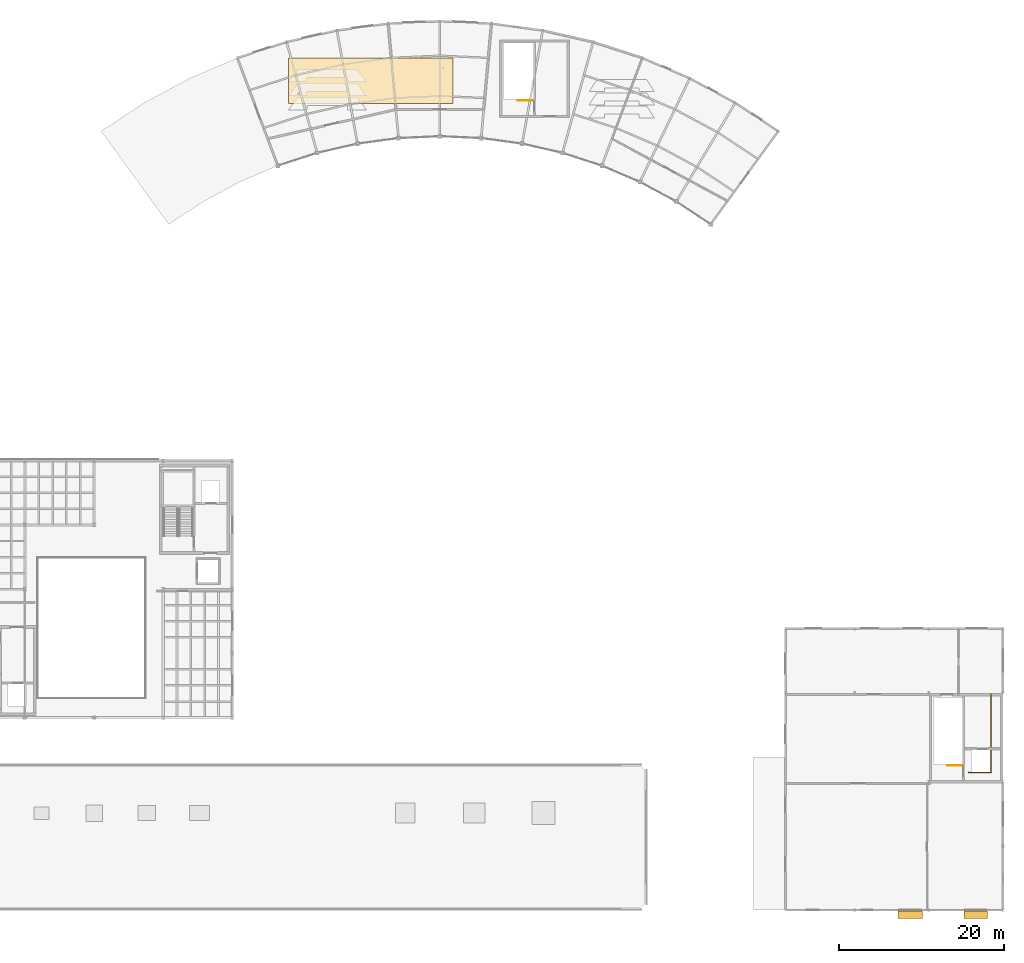
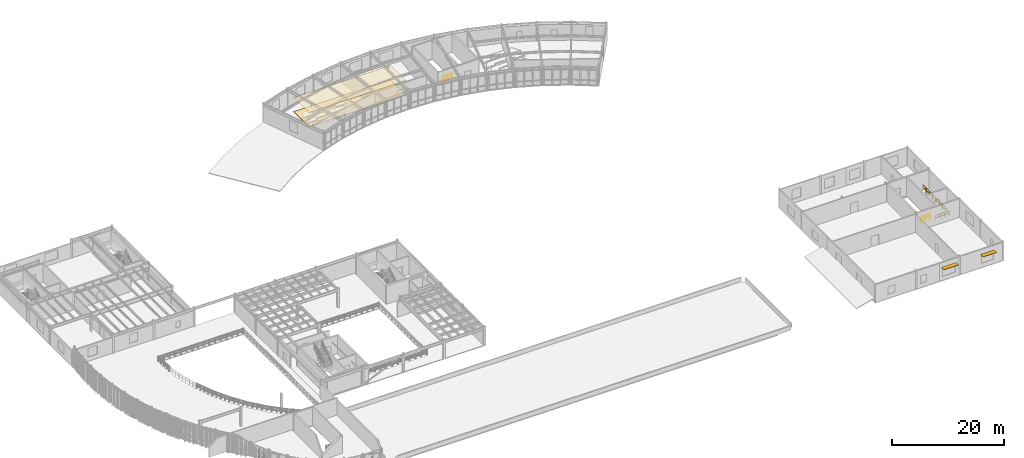
# One storey, part 54 of 54: 3 railings, 2 coverings, 2 shading devices.
"""IFC4 building model written with IfcOpenShell, lengths in metres."""

import ifcopenshell
import ifcopenshell.guid

model = None  # the IFC model being written
_history = None  # IfcOwnerHistory: only IFC2X3 demands one
_inside = {}  # id of a spatial element -> (the spatial element, [elements in it])
_under = {}  # id of a project, library or spatial element -> (it, [spatial elements below it])
_declared = {}  # id of a project -> (the project, [libraries it declares])
_typed = {}  # id of a type object -> (the type object, [elements of that type])
_made_of = {}  # id of a material, layer set ... -> (it, [elements and type objects made of it])


def new_model(schema):
    """Start an empty IFC model of exactly this schema.

    Asked for "IFC4X3", IfcOpenShell would pick the latest addendum, in which some entities
    have other attributes; the version numbers below select the first issue.
    IFC2X3 requires an IfcOwnerHistory on every rooted entity: one is made here for all.
    """
    global model, _history
    if schema == "IFC4X3":
        model = ifcopenshell.file(schema_version=(4, 3, 0, 0))
    else:
        model = ifcopenshell.file(schema=schema)
    _inside.clear()
    _under.clear()
    _declared.clear()
    _typed.clear()
    _made_of.clear()
    _history = None
    if model.schema == "IFC2X3":
        org = make("IfcOrganization", Name="unknown")
        user = make(
            "IfcPersonAndOrganization",
            ThePerson=make("IfcPerson", FamilyName="unknown"),
            TheOrganization=org,
        )
        app = make(
            "IfcApplication",
            ApplicationDeveloper=org,
            Version="unknown",
            ApplicationFullName="unknown",
            ApplicationIdentifier="unknown",
        )
        _history = make(
            "IfcOwnerHistory",
            OwningUser=user,
            OwningApplication=app,
            ChangeAction="ADDED",
            CreationDate=0,
        )
    return model


def make(cls, **values):
    """One entity of the class cls with the attributes given. An attribute that is None is left unset."""
    return model.create_entity(
        cls, **{name: value for name, value in values.items() if value is not None}
    )


def rooted(cls, **values):
    """An entity with a GlobalId (a new one), such as an element, a storey or a relation."""
    return make(cls, GlobalId=ifcopenshell.guid.new(), OwnerHistory=_history, **values)


def si_unit(unit_type, name, prefix=None):
    """IfcSIUnit, for example si_unit("LENGTHUNIT", "METRE", prefix="MILLI")."""
    return make("IfcSIUnit", UnitType=unit_type, Prefix=prefix, Name=name)


def assignment(units):
    """IfcUnitAssignment: the units of a project."""
    return None if units is None else make("IfcUnitAssignment", Units=units)


def point(xyz):
    """IfcCartesianPoint."""
    return None if xyz is None else make("IfcCartesianPoint", Coordinates=xyz)


def direction(xyz):
    """IfcDirection."""
    return None if xyz is None else make("IfcDirection", DirectionRatios=xyz)


def frame(location, z_axis=None, x_axis=None):
    """IfcAxis2Placement3D, a coordinate frame: its origin and axes. An axis left out is left unset."""
    return make(
        "IfcAxis2Placement3D",
        Location=point(location),
        Axis=direction(z_axis),
        RefDirection=direction(x_axis),
    )


def frame_2d(location, x_axis=None):
    """IfcAxis2Placement2D, a coordinate frame in the plane: its origin and x axis."""
    return make(
        "IfcAxis2Placement2D", Location=point(location), RefDirection=direction(x_axis)
    )


def origin():
    """The frame at (0, 0, 0) with its axes left unset."""
    return frame((0.0, 0.0, 0.0))


def origin_2d():
    """The frame at (0, 0) in the plane with its x axis left unset."""
    return frame_2d((0.0, 0.0))


def place(relative_to, where):
    """IfcLocalPlacement: puts the frame where relative to a parent placement (None: the world)."""
    return make(
        "IfcLocalPlacement", PlacementRelTo=relative_to, RelativePlacement=where
    )


def context(
    kind, dimensions, precision=None, world=None, true_north=None, identifier=None
):
    """IfcGeometricRepresentationContext, for example the 3D "Model" context."""
    return make(
        "IfcGeometricRepresentationContext",
        ContextIdentifier=identifier,
        ContextType=kind,
        CoordinateSpaceDimension=dimensions,
        Precision=precision,
        WorldCoordinateSystem=world,
        TrueNorth=true_north,
    )


def subcontext(parent, identifier, kind, view, scale=None):
    """IfcGeometricRepresentationSubContext, for example "Body" below "Model"."""
    return make(
        "IfcGeometricRepresentationSubContext",
        ContextIdentifier=identifier,
        ContextType=kind,
        ParentContext=parent,
        TargetScale=scale,
        TargetView=view,
    )


def project(units=None, contexts=None):
    """IfcProject with its units and contexts."""
    return rooted(
        "IfcProject",
        Name="project",
        RepresentationContexts=contexts,
        UnitsInContext=assignment(units),
    )


def spatial(cls, under=None, at=None, **own):
    """A site, building, storey or space (cls), placed at a placement, below another one or the project."""
    s = rooted(cls, ObjectPlacement=at, **own)
    if under is not None:
        _under.setdefault(under.id(), (under, []))[1].append(s)
    return s


def polyline(points):
    """IfcPolyline through the points."""
    return make("IfcPolyline", Points=[point(p) for p in points])


def profile(cls, at=None, kind="AREA", **sizes):
    """A parametric profile (cls). Its sizes go by their IFC names, for example OverallWidth=200.0."""
    return make(cls, ProfileType=kind, Position=at, **sizes)


def rectangle(**sizes):
    """IfcRectangleProfileDef."""
    return profile("IfcRectangleProfileDef", **sizes)


def circle(**sizes):
    """IfcCircleProfileDef."""
    return profile("IfcCircleProfileDef", **sizes)


def outline(outer, holes=None, kind="AREA"):
    """IfcArbitraryClosedProfileDef: a profile drawn as a closed curve; with holes, ...WithVoids."""
    if holes is None:
        return make("IfcArbitraryClosedProfileDef", ProfileType=kind, OuterCurve=outer)
    return make(
        "IfcArbitraryProfileDefWithVoids",
        ProfileType=kind,
        OuterCurve=outer,
        InnerCurves=holes,
    )


def extrude(swept, where, along, depth):
    """IfcExtrudedAreaSolid: the profile swept, set in the frame where, extruded along a direction by depth."""
    return make(
        "IfcExtrudedAreaSolid",
        SweptArea=swept,
        Position=where,
        ExtrudedDirection=direction(along),
        Depth=depth,
    )


def shape(context_of_items, identifier, shape_type, items):
    """IfcShapeRepresentation: the items that make up one representation, for example the "Body"."""
    return make(
        "IfcShapeRepresentation",
        ContextOfItems=context_of_items,
        RepresentationIdentifier=identifier,
        RepresentationType=shape_type,
        Items=items,
    )


def material(Name=None, Category=None):
    """IfcMaterial."""
    return make("IfcMaterial", Name=Name, Category=Category)


def layer(
    of_material, thickness, ventilated=None, Name=None, Category=None, Priority=None
):
    """IfcMaterialLayer: one layer of a wall or slab, of a material (None: an air gap)."""
    return make(
        "IfcMaterialLayer",
        Material=of_material,
        LayerThickness=thickness,
        IsVentilated=ventilated,
        Name=Name,
        Category=Category,
        Priority=Priority,
    )


def layer_set(layers, Name=None):
    """IfcMaterialLayerSet."""
    return make("IfcMaterialLayerSet", MaterialLayers=layers, LayerSetName=Name)


def made_of(thing, what):
    """Note that an element or type object is made of a material, layer set ...; save() writes the relation."""
    if what is not None:
        _made_of.setdefault(what.id(), (what, []))[1].append(thing)
    return thing


def type_object(cls, material=None, **own):
    """A type object (cls), such as IfcWallType, which elements share."""
    return made_of(rooted(cls, **own), material)


def element(
    cls,
    number,
    at=None,
    inside=None,
    cuts=None,
    type_object=None,
    material=None,
    context=None,
    identifier="Body",
    shape_type=None,
    held_by="IfcProductDefinitionShape",
    body=None,
    shapes=None,
    **own,
):
    """One element of the class cls, such as IfcWall. Its Tag is "e" and its number.

    at: its placement. inside: the storey or other place that contains it. cuts: it is an
    opening in that element (IfcRelVoidsElement). A single representation is given by context,
    identifier, shape_type and body (its items); several are given by shapes. held_by: the class
    of the entity that holds the representations. save() writes the other relations.
    """
    e = rooted(cls, Tag="e%d" % number, ObjectPlacement=at, **own)
    if body is not None:
        shapes = [shape(context, identifier, shape_type, body)]
    if shapes is not None:
        e.Representation = make(held_by, Representations=shapes)
    if inside is not None:
        _inside.setdefault(inside.id(), (inside, []))[1].append(e)
    if cuts is not None:
        rooted(
            "IfcRelVoidsElement", RelatingBuildingElement=cuts, RelatedOpeningElement=e
        )
    if type_object is not None:
        _typed.setdefault(type_object.id(), (type_object, []))[1].append(e)
    return made_of(e, material)


def aggregate(whole, parts):
    """IfcRelAggregates: a whole, such as a stair, and the parts it consists of."""
    return rooted("IfcRelAggregates", RelatingObject=whole, RelatedObjects=parts)


def save(model, path):
    """Write the relations noted so far, then the file.

    IfcRelAggregates (storeys below a building ...), IfcRelContainedInSpatialStructure (elements
    in a storey), IfcRelDefinesByType, IfcRelAssociatesMaterial and IfcRelDeclares: one each for
    every whole, place, type object, material and project.
    """
    for whole, parts in _under.values():
        aggregate(whole, parts)
    for where, things in _inside.values():
        rooted(
            "IfcRelContainedInSpatialStructure",
            RelatedElements=things,
            RelatingStructure=where,
        )
    for kind, things in _typed.values():
        rooted("IfcRelDefinesByType", RelatedObjects=things, RelatingType=kind)
    for what, things in _made_of.values():
        rooted("IfcRelAssociatesMaterial", RelatedObjects=things, RelatingMaterial=what)
    for by, libraries in _declared.values():
        rooted("IfcRelDeclares", RelatingContext=by, RelatedDefinitions=libraries)
    model.write(path)


model = new_model("IFC4")

# Units and contexts
model_context = context("Model", 3, precision=1e-05, world=origin(), true_north=direction((0.0, 1.0)))
body_context = subcontext(model_context, "Body", "Model", "MODEL_VIEW")
ifc_project = project(units=[si_unit("LENGTHUNIT", "METRE"), si_unit("AREAUNIT", "SQUARE_METRE"), si_unit("VOLUMEUNIT", "CUBIC_METRE"), si_unit("PLANEANGLEUNIT", "RADIAN"), si_unit("MASSUNIT", "GRAM", prefix="KILO")], contexts=[model_context])

# Site, building, storey
site_placement = place(None, origin())
site = spatial("IfcSite", under=ifc_project, at=site_placement, CompositionType="ELEMENT")
building_placement = place(site_placement, origin())
building = spatial("IfcBuilding", under=site, at=building_placement, Name="Selat Folded Stagehouse", CompositionType="ELEMENT")
storey_placement = place(building_placement, frame((0.0, 0.0, 15.0)))
storey = spatial("IfcBuildingStorey", under=building, at=storey_placement, Name="L03", CompositionType="ELEMENT", Elevation=15.0)

# Coverings
ifc_material_1 = material(Name="Acoustic perforated timber and mineral wool", Category="wood")
ifc_layer_1 = layer(ifc_material_1, 0.050048828125)
ifc_layer_set_1 = layer_set([ifc_layer_1], Name="Acoustic perforated timber and mineral wool")
covering_type_1 = type_object("IfcCoveringType", Name="COV-CEIL-AC50", PredefinedType="CEILING", material=ifc_layer_set_1)
covering_1_placement = place(storey_placement, frame((0.0, 0.0, 3.10009765625)))
element("IfcCovering", 1, at=covering_1_placement, inside=storey, type_object=covering_type_1, Name="L03 suspended acoustic ceiling CLG-L03-ORC", PredefinedType="CEILING", context=body_context, shape_type="SweptSolid", body=[
    extrude(outline(polyline([(74.0, 98.0), (94.0, 98.0), (94.0, 103.5), (74.0, 103.5), (74.0, 98.0)])), origin(), (0.0, 0.0, 1.0), 0.0498046875),
])
ifc_material_2 = material(Name="Sprung black-stained oak stage and studio flooring", Category="wood")
ifc_layer_2 = layer(ifc_material_2, 0.02490234375)
ifc_layer_set_2 = layer_set([ifc_layer_2], Name="Sprung black-stained oak stage and studio flooring")
covering_type_2 = type_object("IfcCoveringType", Name="COV-FLR-TIM25", PredefinedType="FLOORING", material=ifc_layer_set_2)
covering_2_placement = place(storey_placement, origin())
element("IfcCovering", 2, at=covering_2_placement, inside=storey, type_object=covering_type_2, Name="L03 sprung oak stage flooring FLR-L03-ORC", PredefinedType="FLOORING", context=body_context, shape_type="SweptSolid", body=[
    extrude(outline(polyline([(74.0, 98.0), (94.0, 98.0), (94.0, 103.5), (74.0, 103.5), (74.0, 98.0)])), origin(), (0.0, 0.0, 1.0), 0.02490234375),
])

# Railings
ifc_material_3 = material(Name="Bronze-anodised steel balustrade", Category="steel")
ifc_layer_3 = layer(ifc_material_3, 0.06494140625)
ifc_layer_set_3 = layer_set([ifc_layer_3], Name="Bronze-anodised steel balustrade")
railing_type = type_object("IfcRailingType", Name="RLG-BAL-1120", PredefinedType="BALUSTRADE", material=ifc_layer_set_3)
railing_1_placement = place(storey_placement, frame((156.60009765625, 16.75, 0.0)))
element("IfcRailing", 3, at=railing_1_placement, inside=storey, type_object=railing_type, Name="L03 CR-4 shaft rim guard", PredefinedType="BALUSTRADE", context=body_context, shape_type="SweptSolid", body=[
    extrude(circle(Radius=0.02392578125, at=origin_2d()), frame((0.0, 0.0, 1.09619140625), z_axis=(1.0, 0.0, 0.0), x_axis=(0.0, 1.0, 0.0)), (0.0, 0.0, 1.0), 2.75),
    extrude(circle(Radius=0.02392578125, at=origin_2d()), frame((0.0, 0.0, 0.56005859375), z_axis=(1.0, 0.0, 0.0), x_axis=(0.0, 1.0, 0.0)), (0.0, 0.0, 1.0), 2.75),
    extrude(circle(Radius=0.02392578125, at=origin_2d()), frame((2.75, 0.0, 1.09619140625), z_axis=(0.0, 1.0, 0.0), x_axis=(-1.0, 0.0, 0.0)), (0.0, 0.0, 1.0), 9.5),
    extrude(circle(Radius=0.02392578125, at=origin_2d()), frame((2.75, 0.0, 0.56005859375), z_axis=(0.0, 1.0, 0.0), x_axis=(-1.0, 0.0, 0.0)), (0.0, 0.0, 1.0), 9.5),
    extrude(circle(Radius=0.02099609375, at=origin_2d()), origin(), (0.0, 0.0, 1.0), 1.072021484375),
    extrude(circle(Radius=0.02099609375, at=origin_2d()), frame((0.916748046875, 0.0, 0.0)), (0.0, 0.0, 1.0), 1.072021484375),
    extrude(circle(Radius=0.02099609375, at=origin_2d()), frame((1.833251953125, 0.0, 0.0)), (0.0, 0.0, 1.0), 1.072021484375),
    extrude(circle(Radius=0.02099609375, at=origin_2d()), frame((2.75, 0.0, 0.0)), (0.0, 0.0, 1.0), 1.072021484375),
    extrude(circle(Radius=0.02099609375, at=origin_2d()), frame((2.75, 1.1875, 0.0)), (0.0, 0.0, 1.0), 1.072021484375),
    extrude(circle(Radius=0.02099609375, at=origin_2d()), frame((2.75, 2.375, 0.0)), (0.0, 0.0, 1.0), 1.072021484375),
    extrude(circle(Radius=0.02099609375, at=origin_2d()), frame((2.75, 3.5625, 0.0)), (0.0, 0.0, 1.0), 1.072021484375),
    extrude(circle(Radius=0.02099609375, at=origin_2d()), frame((2.75, 4.75, 0.0)), (0.0, 0.0, 1.0), 1.072021484375),
    extrude(circle(Radius=0.02099609375, at=origin_2d()), frame((2.75, 5.9375, 0.0)), (0.0, 0.0, 1.0), 1.072021484375),
    extrude(circle(Radius=0.02099609375, at=origin_2d()), frame((2.75, 7.125, 0.0)), (0.0, 0.0, 1.0), 1.072021484375),
    extrude(circle(Radius=0.02099609375, at=origin_2d()), frame((2.75, 8.3125, 0.0)), (0.0, 0.0, 1.0), 1.072021484375),
    extrude(circle(Radius=0.02099609375, at=origin_2d()), frame((2.75, 9.5, 0.0)), (0.0, 0.0, 1.0), 1.072021484375),
])
railing_2_placement = place(storey_placement, frame((155.8798828125, 17.580078125, 0.0)))
element("IfcRailing", 4, at=railing_2_placement, inside=storey, type_object=railing_type, Name="L03 ST-04 top well guard 1", PredefinedType="BALUSTRADE", context=body_context, shape_type="SweptSolid", body=[
    extrude(circle(Radius=0.02392578125, at=origin_2d()), frame((0.0, 0.0, 1.09619140625), z_axis=(-1.0, 0.0, 0.0), x_axis=(0.0, -1.0, 0.0)), (0.0, 0.0, 1.0), 1.83984375),
    extrude(circle(Radius=0.02392578125, at=origin_2d()), frame((0.0, 0.0, 0.56005859375), z_axis=(-1.0, 0.0, 0.0), x_axis=(0.0, -1.0, 0.0)), (0.0, 0.0, 1.0), 1.83984375),
    extrude(circle(Radius=0.02099609375, at=origin_2d()), origin(), (0.0, 0.0, 1.0), 1.072021484375),
    extrude(circle(Radius=0.02099609375, at=origin_2d()), frame((-0.919921875, 0.0, 0.0)), (0.0, 0.0, 1.0), 1.072021484375),
    extrude(circle(Radius=0.02099609375, at=origin_2d()), frame((-1.83984375, 0.0, 0.0)), (0.0, 0.0, 1.0), 1.072021484375),
])
railing_3_placement = place(storey_placement, frame((103.75, 98.35009765625, 0.0)))
element("IfcRailing", 5, at=railing_3_placement, inside=storey, type_object=railing_type, Name="L03 ST-06 top well guard 1", PredefinedType="BALUSTRADE", context=body_context, shape_type="SweptSolid", body=[
    extrude(circle(Radius=0.02392578125, at=origin_2d()), frame((0.0, 0.0, 1.09619140625), z_axis=(-1.0, 0.0, 0.0), x_axis=(0.0, -1.0, 0.0)), (0.0, 0.0, 1.0), 1.8798828125),
    extrude(circle(Radius=0.02392578125, at=origin_2d()), frame((0.0, 0.0, 0.56005859375), z_axis=(-1.0, 0.0, 0.0), x_axis=(0.0, -1.0, 0.0)), (0.0, 0.0, 1.0), 1.8798828125),
    extrude(circle(Radius=0.02099609375, at=origin_2d()), origin(), (0.0, 0.0, 1.0), 1.072021484375),
    extrude(circle(Radius=0.02099609375, at=origin_2d()), frame((-0.93994140625, 0.0, 0.0)), (0.0, 0.0, 1.0), 1.072021484375),
    extrude(circle(Radius=0.02099609375, at=origin_2d()), frame((-1.8798828125, 0.0, 0.0)), (0.0, 0.0, 1.0), 1.072021484375),
])

# Shading devices
ifc_material_4 = material(Name="Bronze-anodised aluminium 6063-T6", Category="aluminium")
ifc_layer_4 = layer(ifc_material_4, 0.074951171875)
ifc_layer_set_4 = layer_set([ifc_layer_4], Name="Bronze-anodised aluminium 6063-T6")
shading_device_type = type_object("IfcShadingDeviceType", Name="SHD-HOOD-900x75", PredefinedType="USERDEFINED", material=ifc_layer_set_4)
shading_device_1_placement = place(storey_placement, frame((157.5, -0.534912109375, 2.8623046875), z_axis=(0.0, 0.0, 1.0), x_axis=(-1.0, 0.0, 0.0)))
element("IfcShadingDevice", 6, at=shading_device_1_placement, inside=storey, type_object=shading_device_type, Name="L03 monsoon window sunhood 15", ObjectType="SUNSHADE", PredefinedType="USERDEFINED", context=body_context, shape_type="SweptSolid", body=[
    extrude(rectangle(XDim=2.800048828125, YDim=0.89990234375, at=origin_2d()), origin(), (0.0, 0.0, 1.0), 0.074951171875),
])
shading_device_2_placement = place(storey_placement, frame((149.550048828125, -0.534912109375, 2.8623046875), z_axis=(0.0, 0.0, 1.0), x_axis=(-1.0, 0.0, 0.0)))
element("IfcShadingDevice", 7, at=shading_device_2_placement, inside=storey, type_object=shading_device_type, Name="L03 monsoon window sunhood 16", ObjectType="SUNSHADE", PredefinedType="USERDEFINED", context=body_context, shape_type="SweptSolid", body=[
    extrude(rectangle(XDim=3.0, YDim=0.89990234375, at=origin_2d()), origin(), (0.0, 0.0, 1.0), 0.074951171875),
])

save(model, "model.ifc")
